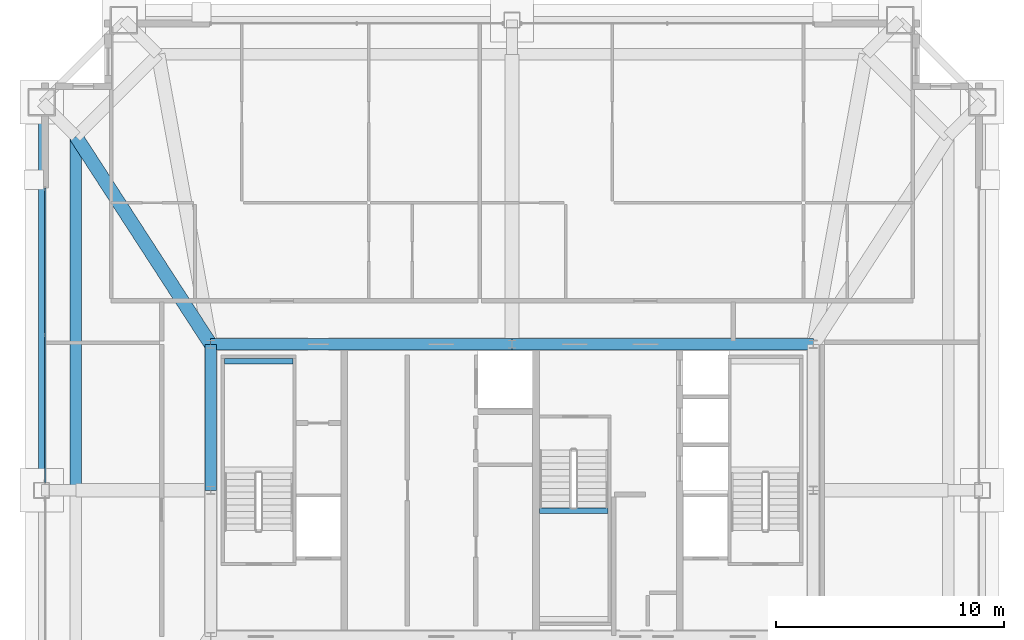
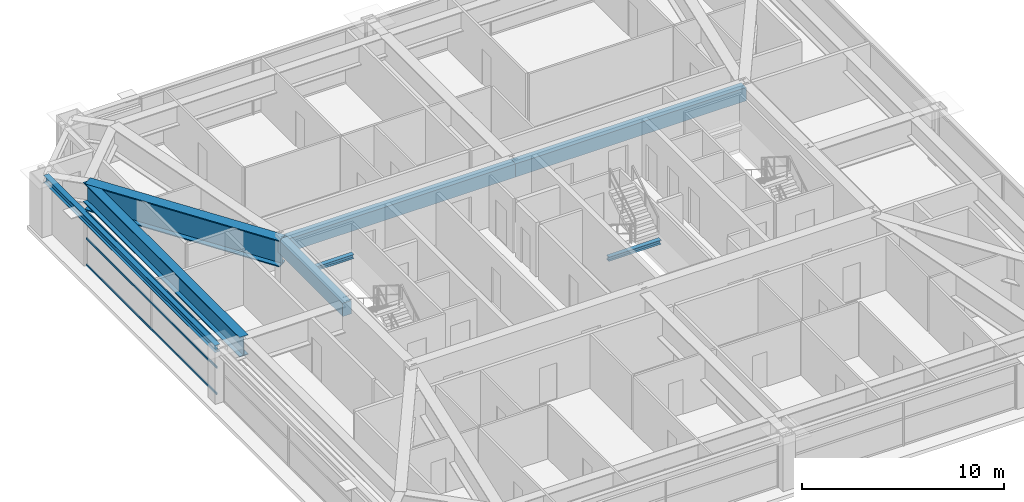
# One storey, part 13 of 33: 8 beams, 3 members, 1 element without a shape of its own.
"""IFC4 building model written with IfcOpenShell, lengths in metres."""

from ifc_helpers import new_model, si_unit, direction, frame, origin, origin_2d, place, context, subcontext, project, spatial, rectangle, hollow_rectangle, i_section, extrude, source, transform, mapped, material, layer, layer_set, material_profile, profile_set, type_object, element, aggregate, save


model = new_model("IFC4")

# Units and contexts
model_context = context("Model", 3, precision=1e-05, world=origin(), true_north=direction((0.0, 1.0)))
body_context = subcontext(model_context, "Body", "Model", "MODEL_VIEW")
ifc_project = project(units=[si_unit("LENGTHUNIT", "METRE"), si_unit("AREAUNIT", "SQUARE_METRE"), si_unit("VOLUMEUNIT", "CUBIC_METRE"), si_unit("PLANEANGLEUNIT", "RADIAN"), si_unit("MASSUNIT", "GRAM", prefix="KILO"), si_unit("THERMODYNAMICTEMPERATUREUNIT", "KELVIN"), si_unit("POWERUNIT", "WATT")], contexts=[model_context])

# Site, building, storey
site_placement = place(None, origin())
site = spatial("IfcSite", under=ifc_project, at=site_placement, CompositionType="ELEMENT")
building_placement = place(site_placement, origin())
building = spatial("IfcBuilding", under=site, at=building_placement, Name="Yuzanri Waterfront Tower", CompositionType="ELEMENT")
storey_placement = place(building_placement, frame((0.0, 0.0, 282.10009765625)))
storey = spatial("IfcBuildingStorey", under=building, at=storey_placement, Name="L75", CompositionType="ELEMENT", Elevation=282.10009765625)

# Beams
ifc_material_1 = material(Name="Concrete C50", Category="concrete")
ifc_material_profile_1 = material_profile(ifc_material_1, rectangle(XDim=0.5, YDim=0.800048828125, at=origin_2d()), Name="RC 500x800")
ifc_profile_set_1 = profile_set([ifc_material_profile_1], Name="Concrete C50")
beam_type_1 = type_object("IfcBeamType", Name="Core Coupling Lintel Concrete C50 500x800", PredefinedType="LINTEL", material=ifc_profile_set_1)
shared_shape_1 = source(origin(), body_context, "Body", "SweptSolid", [
    extrude(rectangle(XDim=0.5, YDim=0.800048828125, at=origin_2d()), origin(), (0.0, 0.0, 1.0), 13.199951171875),
])
for number, where, z_axis, x_axis, name in (
    (1, (23.800048828125, 32.199951171875, 2.8798828125), (1.0, 0.0, 0.0), (0.0, 1.0, 0.0), "L75 Core Tie Beam CN1"),
    (2, (37.0, 32.199951171875, 2.8798828125), (1.0, 0.0, 0.0), (0.0, 1.0, 0.0), "L75 Core Tie Beam CN2"),
):
    element("IfcBeam", number, at=place(storey_placement, frame(where, z_axis=z_axis, x_axis=x_axis)), inside=storey, type_object=beam_type_1, Name=name, PredefinedType="LINTEL", context=body_context, shape_type="MappedRepresentation", body=[
        mapped(shared_shape_1, transform((0.0, 0.0, 0.0), scale=1.0)),
    ])
shared_shape_2 = source(origin(), body_context, "Body", "SweptSolid", [
    extrude(rectangle(XDim=0.5, YDim=0.800048828125, at=origin_2d()), origin(), (0.0, 0.0, 1.0), 6.39990234375),
])
beam_1_placement = place(storey_placement, frame((23.800048828125, 25.800048828125, 2.8798828125), z_axis=(0.0, 1.0, 0.0), x_axis=(-1.0, 0.0, 0.0)))
element("IfcBeam", 3, at=beam_1_placement, inside=storey, type_object=beam_type_1, Name="L75 Core Tie Beam CW2", PredefinedType="LINTEL", context=body_context, shape_type="MappedRepresentation", body=[
    mapped(shared_shape_2, transform((0.0, 0.0, 0.0), scale=1.0)),
])
ifc_material_2 = material(Name="Steel Q355B", Category="steel")
ifc_material_profile_2 = material_profile(ifc_material_2, i_section(OverallWidth=0.300048828125, OverallDepth=0.43994140625, WebThickness=0.010986328125, FlangeThickness=0.01806640625, at=origin_2d()), Name="HM 440x300x11x18")
ifc_profile_set_2 = profile_set([ifc_material_profile_2], Name="Steel Q355B")
beam_type_2 = type_object("IfcBeamType", Name="Perimeter Spandrel Q355B HM 440x300", PredefinedType="SPANDREL", material=ifc_profile_set_2)
shared_shape_3 = source(origin(), body_context, "Body", "SweptSolid", [
    extrude(i_section(OverallWidth=0.300048828125, OverallDepth=0.43994140625, WebThickness=0.010986328125, FlangeThickness=0.01806640625, at=origin_2d()), origin(), (0.0, 0.0, 1.0), 17.0),
])
beam_2_placement = place(storey_placement, frame((16.39990234375, 42.800048828125, 3.059814453125), z_axis=(0.0, -1.0, 0.0), x_axis=(1.0, 0.0, 0.0)))
element("IfcBeam", 4, at=beam_2_placement, inside=storey, type_object=beam_type_2, Name="L75 Perimeter Spandrel W3-W2", PredefinedType="SPANDREL", context=body_context, shape_type="MappedRepresentation", body=[
    mapped(shared_shape_3, transform((0.0, 0.0, 0.0), scale=1.0)),
])
ifc_material_3 = material(Name="Steel Q420GJC", Category="steel")
ifc_material_profile_3 = material_profile(ifc_material_3, i_section(OverallWidth=0.60009765625, OverallDepth=1.60009765625, WebThickness=0.031982421875, FlangeThickness=0.06005859375, at=origin_2d()), Name="PG 1600x600x32x60")
ifc_profile_set_3 = profile_set([ifc_material_profile_3], Name="Steel Q420GJC")
beam_type_3 = type_object("IfcBeamType", Name="Ballroom Transfer Girder Q420GJC PG 1600x600", PredefinedType="USERDEFINED", material=ifc_profile_set_3)
shared_shape_4 = source(origin(), body_context, "Body", "SweptSolid", [
    extrude(i_section(OverallWidth=0.60009765625, OverallDepth=1.60009765625, WebThickness=0.031982421875, FlangeThickness=0.06005859375, at=origin_2d()), origin(), (0.0, 0.0, 1.0), 10.845458984375),
])
beam_3_placement = place(storey_placement, frame((23.800048828125, 32.199951171875, 2.47998046875), z_axis=(-0.54402108739, 0.839071544312, 0.0), x_axis=(-0.839071544312, -0.54402108739, 0.0)))
element("IfcBeam", 5, at=beam_3_placement, inside=storey, type_object=beam_type_3, Name="L75 Setback Inner Transfer W3", ObjectType="GIRDER", PredefinedType="USERDEFINED", context=body_context, shape_type="MappedRepresentation", body=[
    mapped(shared_shape_4, transform((0.0, 0.0, 0.0), scale=1.0)),
])
ifc_material_4 = material(Name="Steel Q420GJC", Category="steel")
ifc_material_profile_4 = material_profile(ifc_material_4, i_section(OverallWidth=0.5, OverallDepth=1.199951171875, WebThickness=0.028076171875, FlangeThickness=0.050048828125, at=origin_2d()), Name="PG 1200x500x28x50")
ifc_profile_set_4 = profile_set([ifc_material_profile_4], Name="Steel Q420GJC")
beam_type_4 = type_object("IfcBeamType", Name="Setback Transfer Girder Q420GJC PG 1200x500", PredefinedType="USERDEFINED", material=ifc_profile_set_4)
shared_shape_5 = source(origin(), body_context, "Body", "SweptSolid", [
    extrude(i_section(OverallWidth=0.5, OverallDepth=1.199951171875, WebThickness=0.028076171875, FlangeThickness=0.050048828125, at=origin_2d()), origin(), (0.0, 0.0, 1.0), 15.5),
])
beam_4_placement = place(storey_placement, frame((17.89990234375, 41.300048828125, 2.679931640625), z_axis=(0.0, -1.0, 0.0), x_axis=(1.0, 0.0, 0.0)))
element("IfcBeam", 6, at=beam_4_placement, inside=storey, type_object=beam_type_4, Name="L75 Setback Upper Ring W3-W2", ObjectType="GIRDER", PredefinedType="USERDEFINED", context=body_context, shape_type="MappedRepresentation", body=[
    mapped(shared_shape_5, transform((0.0, 0.0, 0.0), scale=1.0)),
])

# Curtain wall, members
ifc_material_5 = material(Name="Anodized Architectural Bronze", Category="metal")
ifc_layer = layer(ifc_material_5, 0.159912109375)
ifc_layer_set = layer_set([ifc_layer], Name="Anodized Architectural Bronze")
curtain_wall_type = type_object("IfcCurtainWallType", Name="Anodized Bronze Mid-Rise Residential Acoustic Unitized Curtain Wall 7200", PredefinedType="NOTDEFINED", material=ifc_layer_set)
curtain_wall_placement = place(storey_placement, origin())
curtain_wall = element("IfcCurtainWall", 7, at=curtain_wall_placement, inside=storey, type_object=curtain_wall_type, Name="L75 Curtain Wall CW-L75-WR", PredefinedType="NOTDEFINED")
ifc_material_6 = material(Name="Anodized Architectural Bronze", Category="metal")
ifc_material_profile_5 = material_profile(ifc_material_6, hollow_rectangle(XDim=0.06494140625, YDim=0.1201171875, WallThickness=0.00341796875, at=origin_2d()), Name="CWT 65x120")
ifc_profile_set_5 = profile_set([ifc_material_profile_5], Name="Anodized Architectural Bronze")
member_type = type_object("IfcMemberType", Name="Anodized Bronze Secondary Curtain-Wall Transom 65x120", PredefinedType="USERDEFINED", material=ifc_profile_set_5)
shared_shape_6 = source(origin(), body_context, "Body", "SweptSolid", [
    extrude(hollow_rectangle(XDim=0.06494140625, YDim=0.1201171875, WallThickness=0.00341796875, at=origin_2d()), origin(), (0.0, 0.0, 1.0), 12.900146484375),
])
member_1_placement = place(storey_placement, frame((16.550048828125, 26.14990234375, 0.0498046875), z_axis=(0.0, 1.0, 0.0), x_axis=(-1.0, 0.0, 0.0)))
member_1 = element("IfcMember", 8, at=member_1_placement, type_object=member_type, Name="CW-L75-WR Transom 1", ObjectType="TRANSOM", PredefinedType="USERDEFINED", context=body_context, shape_type="MappedRepresentation", body=[
    mapped(shared_shape_6, transform((0.0, 0.0, 0.0), scale=1.0)),
])
member_2_placement = place(storey_placement, frame((16.550048828125, 26.14990234375, 1.639892578125), z_axis=(0.0, 1.0, 0.0), x_axis=(-1.0, 0.0, 0.0)))
member_2 = element("IfcMember", 9, at=member_2_placement, type_object=member_type, Name="CW-L75-WR Transom 2", ObjectType="TRANSOM", PredefinedType="USERDEFINED", context=body_context, shape_type="MappedRepresentation", body=[
    mapped(shared_shape_6, transform((0.0, 0.0, 0.0), scale=1.0)),
])
member_3_placement = place(storey_placement, frame((16.550048828125, 26.14990234375, 3.22998046875), z_axis=(0.0, 1.0, 0.0), x_axis=(-1.0, 0.0, 0.0)))
member_3 = element("IfcMember", 10, at=member_3_placement, type_object=member_type, Name="CW-L75-WR Transom 3", ObjectType="TRANSOM", PredefinedType="USERDEFINED", context=body_context, shape_type="MappedRepresentation", body=[
    mapped(shared_shape_6, transform((0.0, 0.0, 0.0), scale=1.0)),
])
aggregate(curtain_wall, [member_1, member_2, member_3])

# Beams
ifc_material_7 = material(Name="Steel Q355B", Category="steel")
ifc_material_profile_6 = material_profile(ifc_material_7, i_section(OverallWidth=0.25, OverallDepth=0.25, WebThickness=0.009033203125, FlangeThickness=0.013916015625, at=origin_2d()), Name="HW 250x250x9x14")
ifc_profile_set_6 = profile_set([ifc_material_profile_6], Name="Steel Q355B")
beam_type_5 = type_object("IfcBeamType", Name="Stair Landing Support Beam Q355B HW 250x250", PredefinedType="BEAM", material=ifc_profile_set_6)
shared_shape_7 = source(origin(), body_context, "Body", "SweptSolid", [
    extrude(i_section(OverallWidth=0.25, OverallDepth=0.25, WebThickness=0.009033203125, FlangeThickness=0.013916015625, at=origin_2d()), origin(), (0.0, 0.0, 1.0), 3.0),
])
for number, where, z_axis, x_axis, name in (
    (11, (24.39990234375, 31.449951171875, 1.4248046875), (1.0, 0.0, 0.0), (0.0, 1.0, 0.0), "L75 Stair Landing Support Beam ST-01-L75-L1-2"),
    (12, (38.199951171875, 24.909912109375, 1.4248046875), (1.0, 0.0, 0.0), (0.0, 1.0, 0.0), "L75 Stair Landing Support Beam ST-03-L75-L1-2"),
):
    element("IfcBeam", number, at=place(storey_placement, frame(where, z_axis=z_axis, x_axis=x_axis)), inside=storey, type_object=beam_type_5, Name=name, PredefinedType="BEAM", context=body_context, shape_type="MappedRepresentation", body=[
        mapped(shared_shape_7, transform((0.0, 0.0, 0.0), scale=1.0)),
    ])

save(model, "model.ifc")
